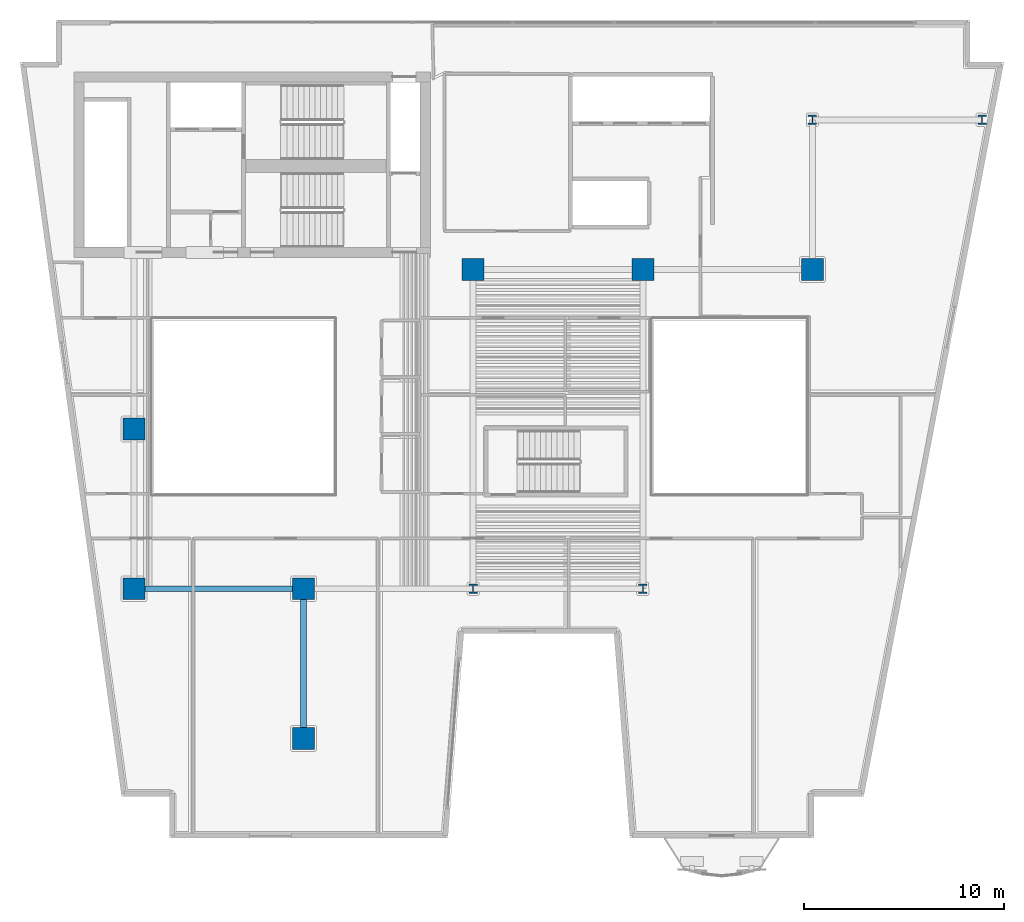
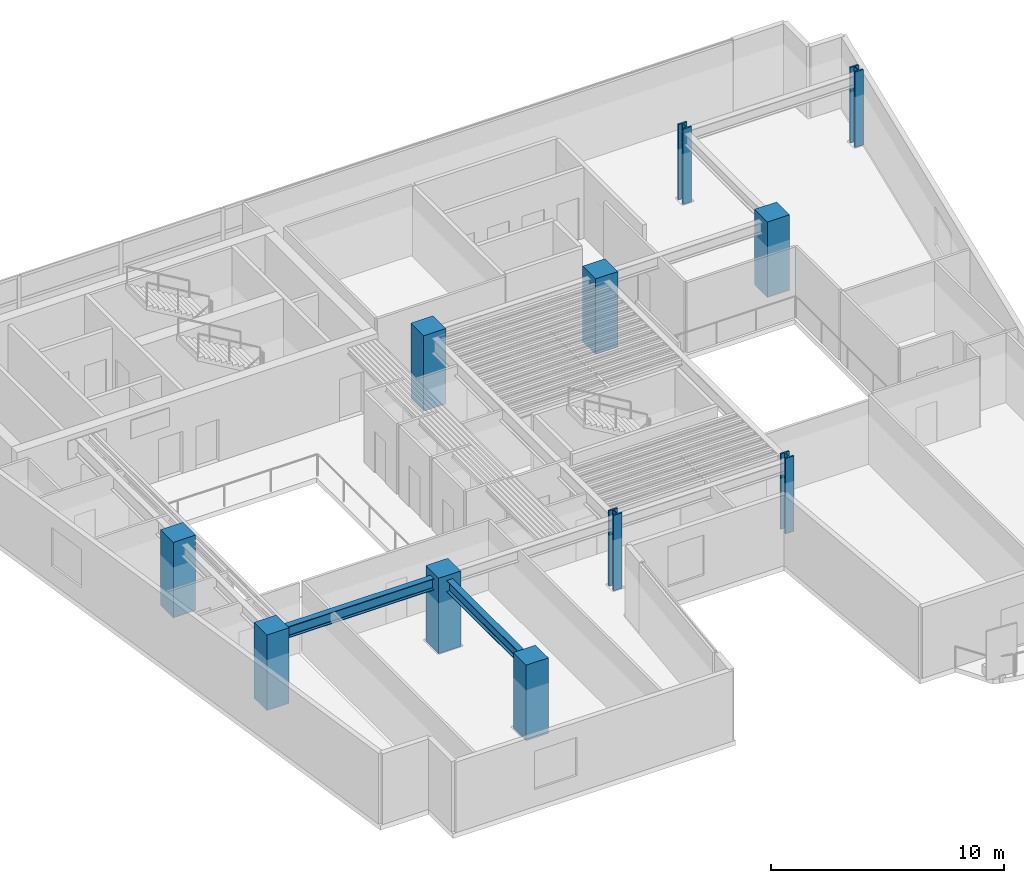
# One storey, part 1 of 13: 11 columns, 2 beams.
"""IFC4 building model written with IfcOpenShell, lengths in metres."""

from ifc_helpers import new_model, si_unit, direction, frame, origin, origin_2d, place, context, subcontext, project, spatial, rectangle, i_section, extrude, material, material_profile, profile_set, type_object, element, save


model = new_model("IFC4")

# Units and contexts
model_context = context("Model", 3, precision=1e-05, world=origin(), true_north=direction((0.0, 1.0)))
body_context = subcontext(model_context, "Body", "Model", "MODEL_VIEW")
ifc_project = project(units=[si_unit("LENGTHUNIT", "METRE"), si_unit("AREAUNIT", "SQUARE_METRE"), si_unit("VOLUMEUNIT", "CUBIC_METRE"), si_unit("PLANEANGLEUNIT", "RADIAN"), si_unit("MASSUNIT", "GRAM", prefix="KILO")], contexts=[model_context])

# Site, building, storey
site_placement = place(None, origin())
site = spatial("IfcSite", under=ifc_project, at=site_placement, CompositionType="ELEMENT")
building_placement = place(site_placement, origin())
building = spatial("IfcBuilding", under=site, at=building_placement, Name="Caeloran Harvest Quay", CompositionType="ELEMENT")
storey_placement = place(building_placement, frame((0.0, 0.0, 166.699951171875)))
storey = spatial("IfcBuildingStorey", under=building, at=storey_placement, Name="L39", CompositionType="ELEMENT", Elevation=166.699951171875)

# Columns
ifc_material_1 = material(Name="Concrete C70/85", Category="concrete")
ifc_material_profile_1 = material_profile(ifc_material_1, rectangle(XDim=1.10009765625, YDim=1.10009765625, at=origin_2d()), Name="RC 1100x1100")
ifc_profile_set_1 = profile_set([ifc_material_profile_1], Name="Concrete C70/85")
column_type_1 = type_object("IfcColumnType", Name="COL-MC-3-RC_1100x1100", PredefinedType="COLUMN", material=ifc_profile_set_1)
for number, where, z_axis, x_axis, name in (
    (1, (8.5, 15.0, 0.0), (0.0, 0.0, 1.0), (1.0, 0.0, 0.0), "L39 Structural Column (8.5, 15.0)"),
    (2, (8.5, 23.0, 0.0), (0.0, 0.0, 1.0), (1.0, 0.0, 0.0), "L39 Structural Column (8.5, 23.0)"),
    (3, (17.0, 7.5, 0.0), (0.0, 0.0, 1.0), (1.0, 0.0, 0.0), "L39 Structural Column (17.0, 7.5)"),
    (4, (17.0, 15.0, 0.0), (0.0, 0.0, 1.0), (1.0, 0.0, 0.0), "L39 Structural Column (17.0, 15.0)"),
    (5, (25.5, 31.0, 0.0), (0.0, 0.0, 1.0), (1.0, 0.0, 0.0), "L39 Structural Column (25.5, 31.0)"),
    (6, (34.0, 31.0, 0.0), (0.0, 0.0, 1.0), (1.0, 0.0, 0.0), "L39 Structural Column (34.0, 31.0)"),
    (7, (42.5, 31.0, 0.0), (0.0, 0.0, 1.0), (1.0, 0.0, 0.0), "L39 Structural Column (42.5, 31.0)"),
):
    element("IfcColumn", number, at=place(storey_placement, frame(where, z_axis=z_axis, x_axis=x_axis)), inside=storey, type_object=column_type_1, Name=name, PredefinedType="COLUMN", context=body_context, shape_type="SweptSolid", body=[
        extrude(rectangle(XDim=1.10009765625, YDim=1.10009765625, at=origin_2d()), origin(), (0.0, 0.0, 1.0), 3.949951171875),
    ])
ifc_material_2 = material(Name="Steel HISTAR 460", Category="steel")
ifc_material_profile_2 = material_profile(ifc_material_2, i_section(OverallWidth=0.424072265625, OverallDepth=0.47412109375, WebThickness=0.047607421875, FlangeThickness=0.076904296875, FilletRadius=0.014892578125, at=origin_2d()), Name="HD 400x634")
ifc_profile_set_2 = profile_set([ifc_material_profile_2], Name="Steel HISTAR 460")
column_type_2 = type_object("IfcColumnType", Name="COL-SC-3-HD_400x634", PredefinedType="COLUMN", material=ifc_profile_set_2)
for number, where, z_axis, x_axis, name in (
    (8, (25.5, 15.0, 0.0), (0.0, 0.0, 1.0), (1.0, 0.0, 0.0), "L39 Structural Column (25.5, 15.0)"),
    (9, (34.0, 15.0, 0.0), (0.0, 0.0, 1.0), (1.0, 0.0, 0.0), "L39 Structural Column (34.0, 15.0)"),
    (10, (42.5, 38.5, 0.0), (0.0, 0.0, 1.0), (1.0, 0.0, 0.0), "L39 Structural Column (42.5, 38.5)"),
    (11, (51.0, 38.5, 0.0), (0.0, 0.0, 1.0), (1.0, 0.0, 0.0), "L39 Structural Column (51.0, 38.5)"),
):
    element("IfcColumn", number, at=place(storey_placement, frame(where, z_axis=z_axis, x_axis=x_axis)), inside=storey, type_object=column_type_2, Name=name, PredefinedType="COLUMN", context=body_context, shape_type="SweptSolid", body=[
        extrude(i_section(OverallWidth=0.424072265625, OverallDepth=0.47412109375, WebThickness=0.047607421875, FlangeThickness=0.076904296875, FilletRadius=0.014892578125, at=origin_2d()), origin(), (0.0, 0.0, 1.0), 3.949951171875),
    ])

# Beams
ifc_material_3 = material(Name="Steel S355J2", Category="steel")
ifc_material_profile_3 = material_profile(ifc_material_3, i_section(OverallWidth=0.300048828125, OverallDepth=0.60009765625, WebThickness=0.015380859375, FlangeThickness=0.030029296875, FilletRadius=0.027099609375, at=origin_2d()), Name="HE 600 B")
ifc_profile_set_3 = profile_set([ifc_material_profile_3], Name="Steel S355J2")
beam_type = type_object("IfcBeamType", Name="BM-PG-3-HE_600_B", PredefinedType="BEAM", material=ifc_profile_set_3)
beam_1_placement = place(storey_placement, frame((8.5, 15.0, 3.39013671875), z_axis=(1.0, 0.0, 0.0), x_axis=(0.0, 1.0, 0.0)))
element("IfcBeam", 12, at=beam_1_placement, inside=storey, type_object=beam_type, Name="L39 Primary East-West Girder Y=15.0", PredefinedType="BEAM", context=body_context, shape_type="SweptSolid", body=[
    extrude(i_section(OverallWidth=0.300048828125, OverallDepth=0.60009765625, WebThickness=0.015380859375, FlangeThickness=0.030029296875, FilletRadius=0.027099609375, at=origin_2d()), origin(), (0.0, 0.0, 1.0), 8.5),
])
beam_2_placement = place(storey_placement, frame((17.0, 7.5, 3.39013671875), z_axis=(0.0, 1.0, 0.0), x_axis=(-1.0, 0.0, 0.0)))
element("IfcBeam", 13, at=beam_2_placement, inside=storey, type_object=beam_type, Name="L39 Primary North-South Girder X=17.0", PredefinedType="BEAM", context=body_context, shape_type="SweptSolid", body=[
    extrude(i_section(OverallWidth=0.300048828125, OverallDepth=0.60009765625, WebThickness=0.015380859375, FlangeThickness=0.030029296875, FilletRadius=0.027099609375, at=origin_2d()), origin(), (0.0, 0.0, 1.0), 7.5),
])

save(model, "model.ifc")
